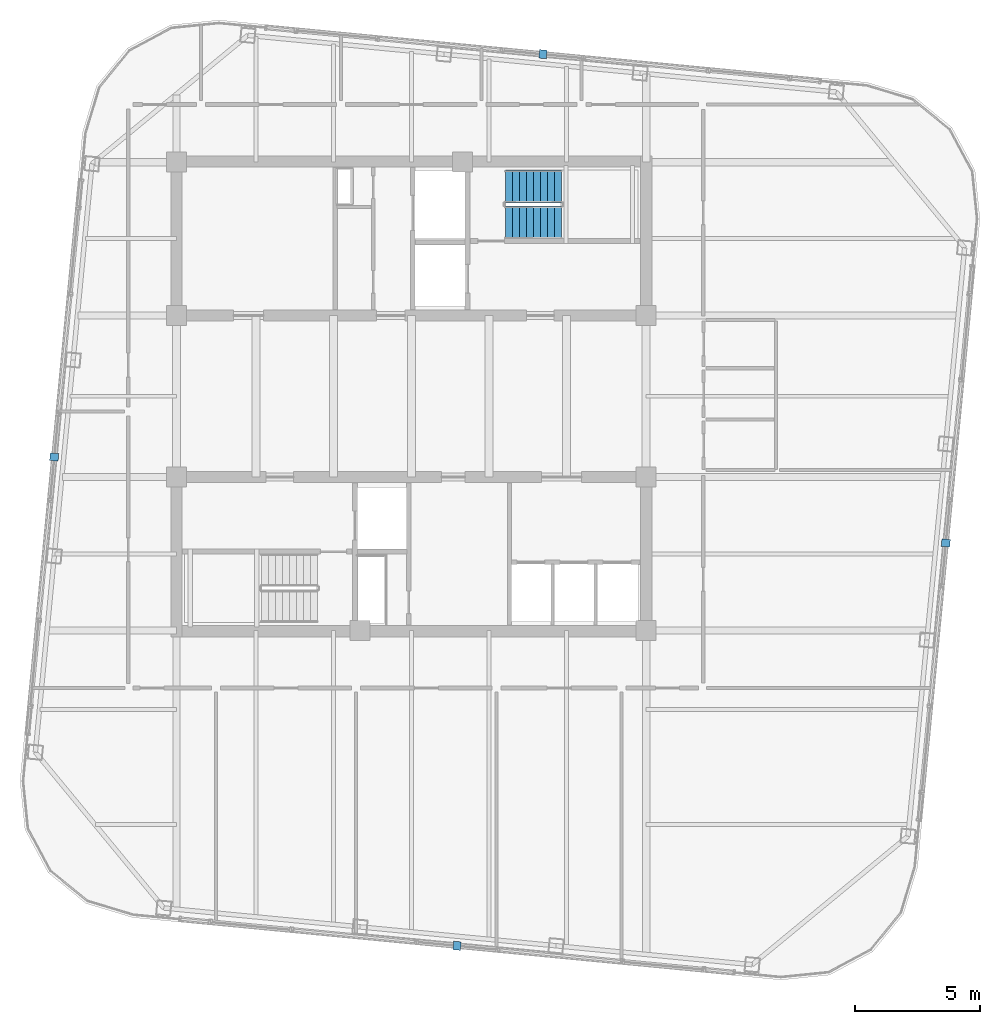
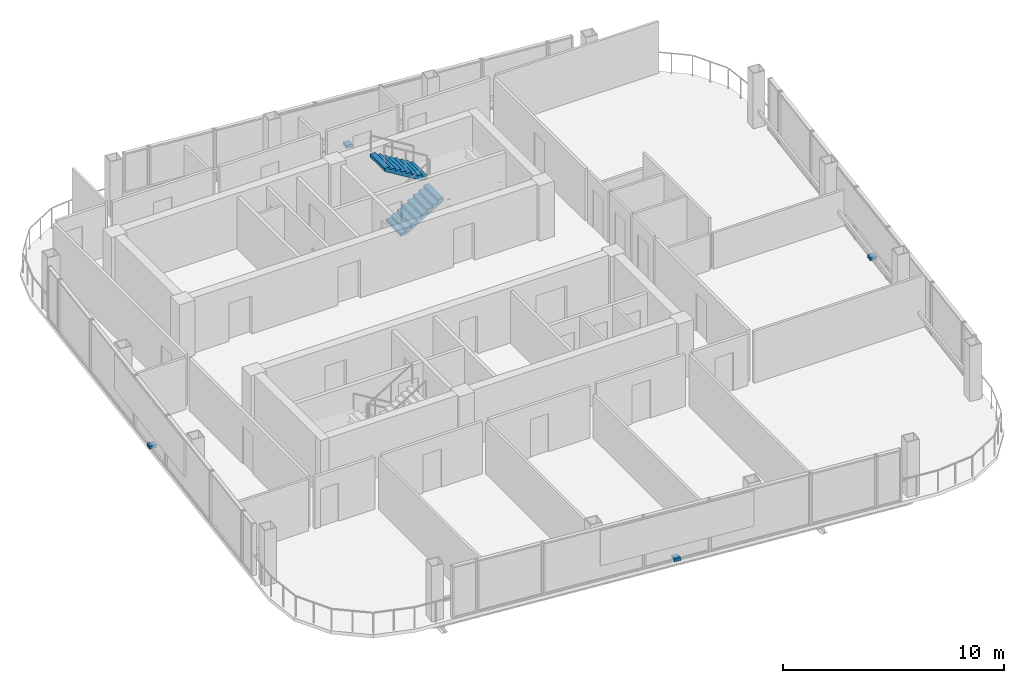
# One storey, part 23 of 27: 4 discrete accessories, 2 stair flights, 1 element without a shape of its own.
"""IFC4 building model written with IfcOpenShell, lengths in metres."""

from ifc_helpers import new_model, si_unit, direction, frame, origin, origin_2d, place, context, subcontext, project, spatial, polyline, rectangle, outline, extrude, material, type_object, element, aggregate, save


model = new_model("IFC4")

# Units and contexts
model_context = context("Model", 3, precision=1e-05, world=origin(), true_north=direction((0.0, 1.0)))
body_context = subcontext(model_context, "Body", "Model", "MODEL_VIEW")
ifc_project = project(units=[si_unit("LENGTHUNIT", "METRE"), si_unit("AREAUNIT", "SQUARE_METRE"), si_unit("VOLUMEUNIT", "CUBIC_METRE"), si_unit("PLANEANGLEUNIT", "RADIAN"), si_unit("MASSUNIT", "GRAM", prefix="KILO")], contexts=[model_context])

# Site, building, storey
site_placement = place(None, origin())
site = spatial("IfcSite", under=ifc_project, at=site_placement, CompositionType="ELEMENT")
building_placement = place(site_placement, origin())
building = spatial("IfcBuilding", under=site, at=building_placement, Name="Qhalaya Broadcast Tower", CompositionType="ELEMENT")
storey_placement = place(building_placement, frame((0.0, 0.0, 258.10009765625)))
storey = spatial("IfcBuildingStorey", under=building, at=storey_placement, Name="L76", CompositionType="ELEMENT", Elevation=258.10009765625)

# Stair, stair flights
ifc_material_1 = material(Name="Concrete C40/50", Category="concrete")
stair_type = type_object("IfcStairType", Name="Protected Dogleg Core Stair 3150", PredefinedType="TWO_STRAIGHT_RUN_STAIR", material=ifc_material_1)
stair_placement = place(storey_placement, origin())
stair = element("IfcStair", 1, at=stair_placement, inside=storey, type_object=stair_type, Name="L76 North Core Exit Stair ST-1", PredefinedType="TWO_STRAIGHT_RUN_STAIR")
ifc_material_2 = material(Name="Precast Concrete C40/50", Category="concrete")
stair_flight_type = type_object("IfcStairFlightType", Name="Precast Concrete Stair Flight 3150", PredefinedType="STRAIGHT", material=ifc_material_2)
stair_flight_1_placement = place(storey_placement, frame((3.75, 7.5400390625, 0.0), z_axis=(0.0, 0.0, 1.0), x_axis=(1.0, 0.0, 0.0)))
stair_flight_1 = element("IfcStairFlight", 2, at=stair_flight_1_placement, type_object=stair_flight_type, Name="ST-1 flight 1", NumberOfRisers=9, NumberOfTreads=8, PredefinedType="STRAIGHT", RiserHeight=0.169444444, TreadLength=0.28, context=body_context, shape_type="SweptSolid", body=[
    extrude(outline(polyline([(0.0, 0.0), (0.0, 0.16943359375), (0.280029296875, 0.16943359375), (0.280029296875, 0.3388671875), (0.56005859375, 0.3388671875), (0.56005859375, 0.50830078125), (0.840087890625, 0.50830078125), (0.840087890625, 0.677734375), (1.1201171875, 0.677734375), (1.1201171875, 0.84716796875), (1.39990234375, 0.84716796875), (1.39990234375, 1.0166015625), (1.679931640625, 1.0166015625), (1.679931640625, 1.18603515625), (1.9599609375, 1.18603515625), (1.9599609375, 1.35546875), (2.239990234375, 1.35546875), (2.239990234375, 1.52490234375), (2.239990234375, 1.180419921875), (0.28955078125, 0.0), (0.0, 0.0)])), frame((0.0, 0.66015625, 0.0), z_axis=(0.0, -1.0, 0.0), x_axis=(1.0, 0.0, 0.0)), (0.0, 0.0, 1.0), 1.320068359375),
])
stair_flight_2_placement = place(storey_placement, frame((5.989990234375, 8.97998046875, 1.52490234375), z_axis=(0.0, 0.0, 1.0), x_axis=(-1.0, 0.0, 0.0)))
stair_flight_2 = element("IfcStairFlight", 3, at=stair_flight_2_placement, type_object=stair_flight_type, Name="ST-1 flight 2", NumberOfRisers=9, NumberOfTreads=8, PredefinedType="STRAIGHT", RiserHeight=0.169444444, TreadLength=0.28, context=body_context, shape_type="SweptSolid", body=[
    extrude(outline(polyline([(0.0, 0.0), (0.0, 0.16943359375), (0.280029296875, 0.16943359375), (0.280029296875, 0.3388671875), (0.56005859375, 0.3388671875), (0.56005859375, 0.50830078125), (0.840087890625, 0.50830078125), (0.840087890625, 0.677734375), (1.1201171875, 0.677734375), (1.1201171875, 0.84716796875), (1.39990234375, 0.84716796875), (1.39990234375, 1.0166015625), (1.679931640625, 1.0166015625), (1.679931640625, 1.18603515625), (1.9599609375, 1.18603515625), (1.9599609375, 1.35546875), (2.239990234375, 1.35546875), (2.239990234375, 1.52490234375), (2.239990234375, 1.180419921875), (0.28955078125, 0.0), (0.0, 0.0)])), frame((0.0, 0.66015625, 0.0), z_axis=(0.0, -1.0, 0.0), x_axis=(1.0, 0.0, 0.0)), (0.0, 0.0, 1.0), 1.320068359375),
])
aggregate(stair, [stair_flight_1, stair_flight_2])

# Discrete accessories
ifc_material_3 = material(Name="Structural Steel ASTM A572 Grade 50", Category="steel")
discrete_accessory_type = type_object("IfcDiscreteAccessoryType", Name="Facade Baguette Support Bracket BRK-01", PredefinedType="BRACKET", material=ifc_material_3)
for number, where, z_axis, x_axis, name in (
    (4, (1.826171875, -21.337646484375, 0.0), (0.0, 0.0, 1.0), (0.995396198367, -0.09584575252, 0.0), "L76 Baguette Support Bracket S"),
    (5, (21.337646484375, -5.25390625, 0.0), (0.0, 0.0, 1.0), (0.09584575252, 0.995396198367, 0.0), "L76 Baguette Support Bracket E"),
    (6, (5.25390625, 14.2578125, 0.0), (0.0, 0.0, 1.0), (-0.995396198367, 0.09584575252, 0.0), "L76 Baguette Support Bracket N"),
    (7, (-14.2578125, -1.826171875, 0.0), (0.0, 0.0, 1.0), (-0.09584575252, -0.995396198367, 0.0), "L76 Baguette Support Bracket W"),
):
    element("IfcDiscreteAccessory", number, at=place(storey_placement, frame(where, z_axis=z_axis, x_axis=x_axis)), inside=storey, type_object=discrete_accessory_type, Name=name, PredefinedType="BRACKET", context=body_context, shape_type="SweptSolid", body=[
        extrude(rectangle(XDim=0.300048828125, YDim=0.340087890625, at=origin_2d()), origin(), (0.0, 0.0, 1.0), 0.159912109375),
    ])

save(model, "model.ifc")
